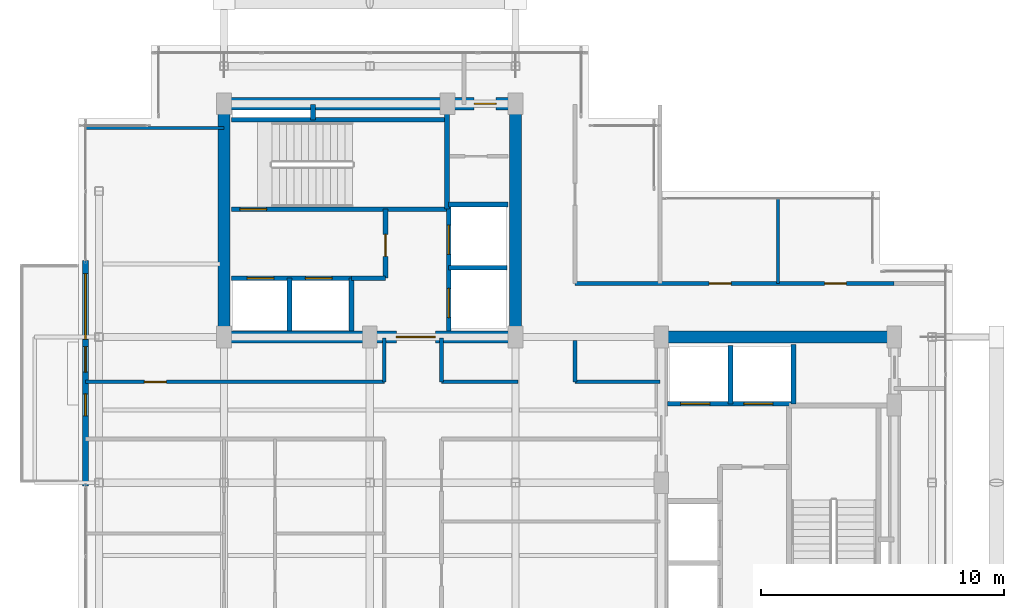
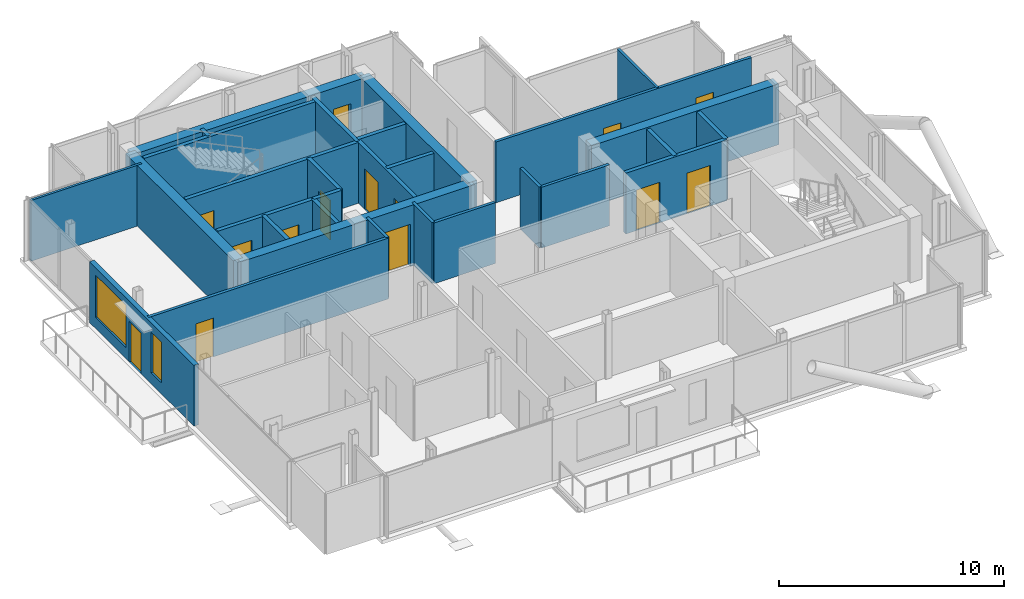
# One storey, part 15 of 18: 30 walls, 14 doors, 2 windows, 16 openings.
"""IFC4 building model written with IfcOpenShell, lengths in metres."""

import ifcopenshell
import ifcopenshell.guid

model = None  # the IFC model being written
_history = None  # IfcOwnerHistory: only IFC2X3 demands one
_inside = {}  # id of a spatial element -> (the spatial element, [elements in it])
_under = {}  # id of a project, library or spatial element -> (it, [spatial elements below it])
_declared = {}  # id of a project -> (the project, [libraries it declares])
_typed = {}  # id of a type object -> (the type object, [elements of that type])
_made_of = {}  # id of a material, layer set ... -> (it, [elements and type objects made of it])


def new_model(schema):
    """Start an empty IFC model of exactly this schema.

    Asked for "IFC4X3", IfcOpenShell would pick the latest addendum, in which some entities
    have other attributes; the version numbers below select the first issue.
    IFC2X3 requires an IfcOwnerHistory on every rooted entity: one is made here for all.
    """
    global model, _history
    if schema == "IFC4X3":
        model = ifcopenshell.file(schema_version=(4, 3, 0, 0))
    else:
        model = ifcopenshell.file(schema=schema)
    _inside.clear()
    _under.clear()
    _declared.clear()
    _typed.clear()
    _made_of.clear()
    _history = None
    if model.schema == "IFC2X3":
        org = make("IfcOrganization", Name="unknown")
        user = make(
            "IfcPersonAndOrganization",
            ThePerson=make("IfcPerson", FamilyName="unknown"),
            TheOrganization=org,
        )
        app = make(
            "IfcApplication",
            ApplicationDeveloper=org,
            Version="unknown",
            ApplicationFullName="unknown",
            ApplicationIdentifier="unknown",
        )
        _history = make(
            "IfcOwnerHistory",
            OwningUser=user,
            OwningApplication=app,
            ChangeAction="ADDED",
            CreationDate=0,
        )
    return model


def make(cls, **values):
    """One entity of the class cls with the attributes given. An attribute that is None is left unset."""
    return model.create_entity(
        cls, **{name: value for name, value in values.items() if value is not None}
    )


def rooted(cls, **values):
    """An entity with a GlobalId (a new one), such as an element, a storey or a relation."""
    return make(cls, GlobalId=ifcopenshell.guid.new(), OwnerHistory=_history, **values)


def si_unit(unit_type, name, prefix=None):
    """IfcSIUnit, for example si_unit("LENGTHUNIT", "METRE", prefix="MILLI")."""
    return make("IfcSIUnit", UnitType=unit_type, Prefix=prefix, Name=name)


def assignment(units):
    """IfcUnitAssignment: the units of a project."""
    return None if units is None else make("IfcUnitAssignment", Units=units)


def point(xyz):
    """IfcCartesianPoint."""
    return None if xyz is None else make("IfcCartesianPoint", Coordinates=xyz)


def direction(xyz):
    """IfcDirection."""
    return None if xyz is None else make("IfcDirection", DirectionRatios=xyz)


def frame(location, z_axis=None, x_axis=None):
    """IfcAxis2Placement3D, a coordinate frame: its origin and axes. An axis left out is left unset."""
    return make(
        "IfcAxis2Placement3D",
        Location=point(location),
        Axis=direction(z_axis),
        RefDirection=direction(x_axis),
    )


def frame_2d(location, x_axis=None):
    """IfcAxis2Placement2D, a coordinate frame in the plane: its origin and x axis."""
    return make(
        "IfcAxis2Placement2D", Location=point(location), RefDirection=direction(x_axis)
    )


def origin():
    """The frame at (0, 0, 0) with its axes left unset."""
    return frame((0.0, 0.0, 0.0))


def place(relative_to, where):
    """IfcLocalPlacement: puts the frame where relative to a parent placement (None: the world)."""
    return make(
        "IfcLocalPlacement", PlacementRelTo=relative_to, RelativePlacement=where
    )


def context(
    kind, dimensions, precision=None, world=None, true_north=None, identifier=None
):
    """IfcGeometricRepresentationContext, for example the 3D "Model" context."""
    return make(
        "IfcGeometricRepresentationContext",
        ContextIdentifier=identifier,
        ContextType=kind,
        CoordinateSpaceDimension=dimensions,
        Precision=precision,
        WorldCoordinateSystem=world,
        TrueNorth=true_north,
    )


def subcontext(parent, identifier, kind, view, scale=None):
    """IfcGeometricRepresentationSubContext, for example "Body" below "Model"."""
    return make(
        "IfcGeometricRepresentationSubContext",
        ContextIdentifier=identifier,
        ContextType=kind,
        ParentContext=parent,
        TargetScale=scale,
        TargetView=view,
    )


def project(units=None, contexts=None):
    """IfcProject with its units and contexts."""
    return rooted(
        "IfcProject",
        Name="project",
        RepresentationContexts=contexts,
        UnitsInContext=assignment(units),
    )


def spatial(cls, under=None, at=None, **own):
    """A site, building, storey or space (cls), placed at a placement, below another one or the project."""
    s = rooted(cls, ObjectPlacement=at, **own)
    if under is not None:
        _under.setdefault(under.id(), (under, []))[1].append(s)
    return s


def profile(cls, at=None, kind="AREA", **sizes):
    """A parametric profile (cls). Its sizes go by their IFC names, for example OverallWidth=200.0."""
    return make(cls, ProfileType=kind, Position=at, **sizes)


def rectangle(**sizes):
    """IfcRectangleProfileDef."""
    return profile("IfcRectangleProfileDef", **sizes)


def extrude(swept, where, along, depth):
    """IfcExtrudedAreaSolid: the profile swept, set in the frame where, extruded along a direction by depth."""
    return make(
        "IfcExtrudedAreaSolid",
        SweptArea=swept,
        Position=where,
        ExtrudedDirection=direction(along),
        Depth=depth,
    )


def shape(context_of_items, identifier, shape_type, items):
    """IfcShapeRepresentation: the items that make up one representation, for example the "Body"."""
    return make(
        "IfcShapeRepresentation",
        ContextOfItems=context_of_items,
        RepresentationIdentifier=identifier,
        RepresentationType=shape_type,
        Items=items,
    )


def material(Name=None, Category=None):
    """IfcMaterial."""
    return make("IfcMaterial", Name=Name, Category=Category)


def layer(
    of_material, thickness, ventilated=None, Name=None, Category=None, Priority=None
):
    """IfcMaterialLayer: one layer of a wall or slab, of a material (None: an air gap)."""
    return make(
        "IfcMaterialLayer",
        Material=of_material,
        LayerThickness=thickness,
        IsVentilated=ventilated,
        Name=Name,
        Category=Category,
        Priority=Priority,
    )


def layer_set(layers, Name=None):
    """IfcMaterialLayerSet."""
    return make("IfcMaterialLayerSet", MaterialLayers=layers, LayerSetName=Name)


def made_of(thing, what):
    """Note that an element or type object is made of a material, layer set ...; save() writes the relation."""
    if what is not None:
        _made_of.setdefault(what.id(), (what, []))[1].append(thing)
    return thing


def type_object(cls, material=None, **own):
    """A type object (cls), such as IfcWallType, which elements share."""
    return made_of(rooted(cls, **own), material)


def element(
    cls,
    number,
    at=None,
    inside=None,
    cuts=None,
    type_object=None,
    material=None,
    context=None,
    identifier="Body",
    shape_type=None,
    held_by="IfcProductDefinitionShape",
    body=None,
    shapes=None,
    **own,
):
    """One element of the class cls, such as IfcWall. Its Tag is "e" and its number.

    at: its placement. inside: the storey or other place that contains it. cuts: it is an
    opening in that element (IfcRelVoidsElement). A single representation is given by context,
    identifier, shape_type and body (its items); several are given by shapes. held_by: the class
    of the entity that holds the representations. save() writes the other relations.
    """
    e = rooted(cls, Tag="e%d" % number, ObjectPlacement=at, **own)
    if body is not None:
        shapes = [shape(context, identifier, shape_type, body)]
    if shapes is not None:
        e.Representation = make(held_by, Representations=shapes)
    if inside is not None:
        _inside.setdefault(inside.id(), (inside, []))[1].append(e)
    if cuts is not None:
        rooted(
            "IfcRelVoidsElement", RelatingBuildingElement=cuts, RelatedOpeningElement=e
        )
    if type_object is not None:
        _typed.setdefault(type_object.id(), (type_object, []))[1].append(e)
    return made_of(e, material)


def fill(opening, filler):
    """IfcRelFillsElement: the door or window that sits in an opening."""
    return rooted(
        "IfcRelFillsElement",
        RelatingOpeningElement=opening,
        RelatedBuildingElement=filler,
    )


def aggregate(whole, parts):
    """IfcRelAggregates: a whole, such as a stair, and the parts it consists of."""
    return rooted("IfcRelAggregates", RelatingObject=whole, RelatedObjects=parts)


def save(model, path):
    """Write the relations noted so far, then the file.

    IfcRelAggregates (storeys below a building ...), IfcRelContainedInSpatialStructure (elements
    in a storey), IfcRelDefinesByType, IfcRelAssociatesMaterial and IfcRelDeclares: one each for
    every whole, place, type object, material and project.
    """
    for whole, parts in _under.values():
        aggregate(whole, parts)
    for where, things in _inside.values():
        rooted(
            "IfcRelContainedInSpatialStructure",
            RelatedElements=things,
            RelatingStructure=where,
        )
    for kind, things in _typed.values():
        rooted("IfcRelDefinesByType", RelatedObjects=things, RelatingType=kind)
    for what, things in _made_of.values():
        rooted("IfcRelAssociatesMaterial", RelatedObjects=things, RelatingMaterial=what)
    for by, libraries in _declared.values():
        rooted("IfcRelDeclares", RelatingContext=by, RelatedDefinitions=libraries)
    model.write(path)


model = new_model("IFC4")

# Units and contexts
model_context = context("Model", 3, precision=1e-05, world=origin(), true_north=direction((0.0, 1.0)))
body_context = subcontext(model_context, "Body", "Model", "MODEL_VIEW")
ifc_project = project(units=[si_unit("LENGTHUNIT", "METRE"), si_unit("AREAUNIT", "SQUARE_METRE"), si_unit("VOLUMEUNIT", "CUBIC_METRE"), si_unit("PLANEANGLEUNIT", "RADIAN"), si_unit("MASSUNIT", "GRAM", prefix="KILO"), si_unit("THERMODYNAMICTEMPERATUREUNIT", "KELVIN"), si_unit("POWERUNIT", "WATT")], contexts=[model_context])

# Site, building, storey
site_placement = place(None, origin())
site = spatial("IfcSite", under=ifc_project, at=site_placement, CompositionType="ELEMENT")
building_placement = place(site_placement, origin())
building = spatial("IfcBuilding", under=site, at=building_placement, Name="Svarakhadi Broadcast Tower", CompositionType="ELEMENT")
storey_placement = place(building_placement, frame((0.0, 0.0, 264.199951171875)))
storey = spatial("IfcBuildingStorey", under=building, at=storey_placement, Name="L66", CompositionType="ELEMENT", Elevation=264.199951171875)

# Wall, openings, door, windows
ifc_material_1 = material(Name="Concrete C40/50 (IS 456 M50)", Category="concrete")
ifc_layer_1 = layer(ifc_material_1, 0.239990234375)
ifc_layer_set_1 = layer_set([ifc_layer_1], Name="Concrete C40/50 (IS 456 M50)")
wall_type_1 = type_object("IfcWallType", Name="Wall_Ext_240", PredefinedType="SOLIDWALL", material=ifc_layer_set_1)
wall_1_placement = place(storey_placement, frame((0.300048828125, 11.85498046875, 0.0), z_axis=(0.0, 0.0, 1.0), x_axis=(0.0, 1.0, 0.0)))
wall_1 = element("IfcWall", 1, at=wall_1_placement, inside=storey, type_object=wall_type_1, Name="L66 West Tree Balcony Spandrel Wall", PredefinedType="SOLIDWALL", context=body_context, shape_type="SweptSolid", body=[
    extrude(rectangle(XDim=9.2900390625, YDim=0.239990234375, at=frame_2d((4.64501953125, 0.0))), origin(), (0.0, 0.0, 1.0), 3.300048828125),
])
opening_1_placement = place(wall_1_placement, frame((4.699951171875, 0.0, 0.0)))
opening_1 = element("IfcOpeningElement", 2, at=opening_1_placement, cuts=wall_1, Name="Opening ED-05", PredefinedType="OPENING", context=body_context, shape_type="SweptSolid", body=[
    extrude(rectangle(XDim=1.050048828125, YDim=2.199951171875, at=frame_2d((0.52490234375, 1.10009765625))), frame((0.0, 0.1298828125, 0.0), z_axis=(0.0, -1.0, 0.0), x_axis=(1.0, 0.0, 0.0)), (0.0, 0.0, 1.0), 0.260009765625),
])
opening_2_placement = place(wall_1_placement, frame((6.050048828125, 0.0, 0.60009765625)))
opening_2 = element("IfcOpeningElement", 3, at=opening_2_placement, cuts=wall_1, Name="Opening WN-07", PredefinedType="OPENING", context=body_context, shape_type="SweptSolid", body=[
    extrude(rectangle(XDim=2.699951171875, YDim=2.300048828125, at=frame_2d((1.35009765625, 1.14990234375))), frame((0.0, 0.1298828125, 0.0), z_axis=(0.0, -1.0, 0.0), x_axis=(1.0, 0.0, 0.0)), (0.0, 0.0, 1.0), 0.260009765625),
])
opening_3_placement = place(wall_1_placement, frame((2.89990234375, 0.0, 0.60009765625)))
opening_3 = element("IfcOpeningElement", 4, at=opening_3_placement, cuts=wall_1, Name="Opening WN-04", PredefinedType="OPENING", context=body_context, shape_type="SweptSolid", body=[
    extrude(rectangle(XDim=0.89990234375, YDim=2.199951171875, at=frame_2d((0.449951171875, 1.10009765625))), frame((0.0, 0.1298828125, 0.0), z_axis=(0.0, -1.0, 0.0), x_axis=(1.0, 0.0, 0.0)), (0.0, 0.0, 1.0), 0.260009765625),
])
ifc_material_2 = material(Name="Anodised Bronze Aluminium AA 6063-T6", Category="aluminium")
door_type_1 = type_object("IfcDoorType", Name="Door_Ext_ED05", OperationType="SINGLE_SWING_LEFT", PredefinedType="DOOR", material=ifc_material_2)
door_1_placement = place(opening_1_placement, origin())
door_1 = element("IfcDoor", 5, at=door_1_placement, inside=storey, type_object=door_type_1, Name="L66 West Tree Balcony Door", OperationType="SINGLE_SWING_LEFT", OverallHeight=2.199951171875, OverallWidth=1.050048828125, PredefinedType="DOOR", context=body_context, shape_type="SweptSolid", body=[
    extrude(rectangle(XDim=1.050048828125, YDim=2.199951171875, at=frame_2d((0.52490234375, 1.10009765625))), frame((0.0, 0.02490234375, 0.0), z_axis=(0.0, -1.0, 0.0), x_axis=(1.0, 0.0, 0.0)), (0.0, 0.0, 1.0), 0.050048828125),
])
fill(opening_1, door_1)
ifc_material_3 = material(Name="Double Low-E Laminated Acoustic Glass IGU 36 mm", Category="glass")
window_type_1 = type_object("IfcWindowType", Name="Win_Resi_WN07", PartitioningType="SINGLE_PANEL", PredefinedType="WINDOW", material=ifc_material_3)
window_1_placement = place(opening_2_placement, origin())
window_1 = element("IfcWindow", 6, at=window_1_placement, inside=storey, type_object=window_type_1, Name="L66 West Tree Balcony Window", OverallHeight=2.300048828125, OverallWidth=2.699951171875, PartitioningType="SINGLE_PANEL", PredefinedType="WINDOW", context=body_context, shape_type="SweptSolid", body=[
    extrude(rectangle(XDim=2.699951171875, YDim=2.300048828125, at=frame_2d((1.35009765625, 1.14990234375))), frame((0.0, 0.030029296875, 0.0), z_axis=(0.0, -1.0, 0.0), x_axis=(1.0, 0.0, 0.0)), (0.0, 0.0, 1.0), 0.06005859375),
])
fill(opening_2, window_1)
window_type_2 = type_object("IfcWindowType", Name="Win_Slot_WN04", PartitioningType="SINGLE_PANEL", PredefinedType="WINDOW", material=ifc_material_3)
window_2_placement = place(opening_3_placement, origin())
window_2 = element("IfcWindow", 7, at=window_2_placement, inside=storey, type_object=window_type_2, Name="L66 West Secondary Bedroom Slot Window", OverallHeight=2.199951171875, OverallWidth=0.89990234375, PartitioningType="SINGLE_PANEL", PredefinedType="WINDOW", context=body_context, shape_type="SweptSolid", body=[
    extrude(rectangle(XDim=0.89990234375, YDim=2.199951171875, at=frame_2d((0.449951171875, 1.10009765625))), frame((0.0, 0.030029296875, 0.0), z_axis=(0.0, -1.0, 0.0), x_axis=(1.0, 0.0, 0.0)), (0.0, 0.0, 1.0), 0.06005859375),
])
fill(opening_3, window_2)

# Walls
ifc_layer_2 = layer(ifc_material_1, 0.199951171875)
ifc_layer_set_2 = layer_set([ifc_layer_2], Name="Concrete C40/50 (IS 456 M50)")
wall_type_2 = type_object("IfcWallType", Name="Wall_Fire_200", PredefinedType="SOLIDWALL", material=ifc_layer_set_2)
wall_2_placement = place(storey_placement, frame((9.659912109375, 26.93994140625, 0.0), z_axis=(0.0, 0.0, 1.0), x_axis=(0.0, 1.0, 0.0)))
element("IfcWall", 8, at=wall_2_placement, inside=storey, type_object=wall_type_2, Name="L66 Wet Riser Shaft East Wall", PredefinedType="SOLIDWALL", context=body_context, shape_type="SweptSolid", body=[
    extrude(rectangle(XDim=0.64013671875, YDim=0.199951171875, at=frame_2d((0.320068359375, 0.0))), origin(), (0.0, 0.0, 1.0), 3.300048828125),
])
ifc_material_4 = material(Name="Fire-Rated Moisture-Resistant Gypsum Board Partition", Category="gypsum")
ifc_layer_3 = layer(ifc_material_4, 0.125)
ifc_layer_set_3 = layer_set([ifc_layer_3], Name="Fire-Rated Moisture-Resistant Gypsum Board Partition")
wall_type_3 = type_object("IfcWallType", Name="Wall_Part_125", PredefinedType="PARTITIONING", material=ifc_layer_set_3)
wall_3_placement = place(storey_placement, frame((28.800048828125, 20.199951171875, 0.0), z_axis=(0.0, 0.0, 1.0), x_axis=(0.0, 1.0, 0.0)))
element("IfcWall", 9, at=wall_3_placement, inside=storey, type_object=wall_type_3, Name="L66 Harbour Sky Club Reading Room Wall", PredefinedType="PARTITIONING", context=body_context, shape_type="SweptSolid", body=[
    extrude(rectangle(XDim=3.5, YDim=0.125, at=frame_2d((1.75, 0.0))), origin(), (0.0, 0.0, 1.0), 3.300048828125),
])
wall_4_placement = place(storey_placement, frame((0.300048828125, 26.60009765625, 0.0), z_axis=(0.0, 0.0, 1.0), x_axis=(1.0, 0.0, 0.0)))
element("IfcWall", 10, at=wall_4_placement, inside=storey, type_object=wall_type_3, Name="L66 Harbour Yoga and Meditation Salon Wall", PredefinedType="PARTITIONING", context=body_context, shape_type="SweptSolid", body=[
    extrude(rectangle(XDim=5.699951171875, YDim=0.125, at=frame_2d((2.85009765625, 0.0))), origin(), (0.0, 0.0, 1.0), 3.300048828125),
])

# Wall, opening, door
ifc_material_5 = material(Name="Autoclaved Aerated Concrete Blockwork 150 mm", Category="masonry")
ifc_layer_4 = layer(ifc_material_5, 0.14990234375)
ifc_layer_set_4 = layer_set([ifc_layer_4], Name="Autoclaved Aerated Concrete Blockwork 150 mm")
wall_type_4 = type_object("IfcWallType", Name="Wall_Part_150", PredefinedType="PARTITIONING", material=ifc_layer_set_4)
wall_5_placement = place(storey_placement, frame((0.300048828125, 16.14990234375, 0.0), z_axis=(0.0, 0.0, 1.0), x_axis=(1.0, 0.0, 0.0)))
wall_5 = element("IfcWall", 11, at=wall_5_placement, inside=storey, type_object=wall_type_4, Name="L66 Upper Tower Concourse Wall", PredefinedType="PARTITIONING", context=body_context, shape_type="SweptSolid", body=[
    extrude(rectangle(XDim=12.300048828125, YDim=0.14990234375, at=frame_2d((6.14990234375, 0.0))), origin(), (0.0, 0.0, 1.0), 3.300048828125),
])
opening_4_placement = place(wall_5_placement, frame((2.425048828125, 0.0, 0.0)))
opening_4 = element("IfcOpeningElement", 12, at=opening_4_placement, cuts=wall_5, Name="Opening D-14", PredefinedType="OPENING", context=body_context, shape_type="SweptSolid", body=[
    extrude(rectangle(XDim=0.89990234375, YDim=2.10009765625, at=frame_2d((0.449951171875, 1.050048828125))), frame((0.0, 0.0849609375, 0.0), z_axis=(0.0, -1.0, 0.0), x_axis=(1.0, 0.0, 0.0)), (0.0, 0.0, 1.0), 0.169921875),
])
ifc_material_6 = material(Name="Solid-Core Teak Veneer Acoustic Timber Leaf", Category="wood")
door_type_2 = type_object("IfcDoorType", Name="Door_Int_D14", OperationType="SINGLE_SWING_LEFT", PredefinedType="DOOR", material=ifc_material_6)
door_2_placement = place(opening_4_placement, origin())
door_2 = element("IfcDoor", 13, at=door_2_placement, inside=storey, type_object=door_type_2, Name="L66 Harbour Yoga and Meditation Salon Door", OperationType="SINGLE_SWING_LEFT", OverallHeight=2.10009765625, OverallWidth=0.89990234375, PredefinedType="DOOR", context=body_context, shape_type="SweptSolid", body=[
    extrude(rectangle(XDim=0.89990234375, YDim=2.10009765625, at=frame_2d((0.449951171875, 1.050048828125))), frame((0.0, 0.02490234375, 0.0), z_axis=(0.0, -1.0, 0.0), x_axis=(1.0, 0.0, 0.0)), (0.0, 0.0, 1.0), 0.050048828125),
])
fill(opening_4, door_2)

# Walls
for number, where, z_axis, x_axis, name in (
    (14, (12.60009765625, 16.14990234375, 0.0), (0.0, 0.0, 1.0), (0.0, 1.0, 0.0), "L66 Upper Tower Concourse Wall"),
    (15, (14.949951171875, 17.949951171875, 0.0), (0.0, 0.0, 1.0), (0.0, -1.0, 0.0), "L66 Upper Tower Concourse Wall"),
):
    element("IfcWall", number, at=place(storey_placement, frame(where, z_axis=z_axis, x_axis=x_axis)), inside=storey, type_object=wall_type_4, Name=name, PredefinedType="PARTITIONING", context=body_context, shape_type="SweptSolid", body=[
        extrude(rectangle(XDim=1.800048828125, YDim=0.14990234375, at=frame_2d((0.89990234375, 0.0))), origin(), (0.0, 0.0, 1.0), 3.300048828125),
    ])
wall_6_placement = place(storey_placement, frame((14.949951171875, 16.14990234375, 0.0), z_axis=(0.0, 0.0, 1.0), x_axis=(1.0, 0.0, 0.0)))
element("IfcWall", 16, at=wall_6_placement, inside=storey, type_object=wall_type_4, Name="L66 Upper Tower Concourse Wall", PredefinedType="PARTITIONING", context=body_context, shape_type="SweptSolid", body=[
    extrude(rectangle(XDim=3.150146484375, YDim=0.14990234375, at=frame_2d((1.5751953125, 0.0))), origin(), (0.0, 0.0, 1.0), 3.300048828125),
])

# Wall, openings, doors
wall_7_placement = place(storey_placement, frame((20.449951171875, 20.199951171875, 0.0), z_axis=(0.0, 0.0, 1.0), x_axis=(1.0, 0.0, 0.0)))
wall_7 = element("IfcWall", 17, at=wall_7_placement, inside=storey, type_object=wall_type_4, Name="L66 Upper Tower Concourse Wall", PredefinedType="PARTITIONING", context=body_context, shape_type="SweptSolid", body=[
    extrude(rectangle(XDim=13.130126953125, YDim=0.14990234375, at=frame_2d((6.56494140625, 0.0))), origin(), (0.0, 0.0, 1.0), 3.300048828125),
])
opening_5_placement = place(wall_7_placement, frame((5.52490234375, 0.0, 0.0)))
opening_5 = element("IfcOpeningElement", 18, at=opening_5_placement, cuts=wall_7, Name="Opening D-14", PredefinedType="OPENING", context=body_context, shape_type="SweptSolid", body=[
    extrude(rectangle(XDim=0.89990234375, YDim=2.10009765625, at=frame_2d((0.449951171875, 1.050048828125))), frame((0.0, 0.0849609375, 0.0), z_axis=(0.0, -1.0, 0.0), x_axis=(1.0, 0.0, 0.0)), (0.0, 0.0, 1.0), 0.169921875),
])
opening_6_placement = place(wall_7_placement, frame((10.27490234375, 0.0, 0.0)))
opening_6 = element("IfcOpeningElement", 19, at=opening_6_placement, cuts=wall_7, Name="Opening D-15", PredefinedType="OPENING", context=body_context, shape_type="SweptSolid", body=[
    extrude(rectangle(XDim=0.89990234375, YDim=2.10009765625, at=frame_2d((0.449951171875, 1.050048828125))), frame((0.0, 0.0849609375, 0.0), z_axis=(0.0, -1.0, 0.0), x_axis=(1.0, 0.0, 0.0)), (0.0, 0.0, 1.0), 0.169921875),
])
door_3_placement = place(opening_5_placement, origin())
door_3 = element("IfcDoor", 20, at=door_3_placement, inside=storey, type_object=door_type_2, Name="L66 Harbour Sky Club Reading Room Door", OperationType="SINGLE_SWING_LEFT", OverallHeight=2.10009765625, OverallWidth=0.89990234375, PredefinedType="DOOR", context=body_context, shape_type="SweptSolid", body=[
    extrude(rectangle(XDim=0.89990234375, YDim=2.10009765625, at=frame_2d((0.449951171875, 1.050048828125))), frame((0.0, 0.02490234375, 0.0), z_axis=(0.0, -1.0, 0.0), x_axis=(1.0, 0.0, 0.0)), (0.0, 0.0, 1.0), 0.050048828125),
])
fill(opening_5, door_3)
door_type_3 = type_object("IfcDoorType", Name="Door_Int_D15", OperationType="SINGLE_SWING_RIGHT", PredefinedType="DOOR", material=ifc_material_6)
door_4_placement = place(opening_6_placement, origin())
door_4 = element("IfcDoor", 21, at=door_4_placement, inside=storey, type_object=door_type_3, Name="L66 Private Sommelier Tasting Pantry Door", OperationType="SINGLE_SWING_RIGHT", OverallHeight=2.10009765625, OverallWidth=0.89990234375, PredefinedType="DOOR", context=body_context, shape_type="SweptSolid", body=[
    extrude(rectangle(XDim=0.89990234375, YDim=2.10009765625, at=frame_2d((0.449951171875, 1.050048828125))), frame((0.0, 0.02490234375, 0.0), z_axis=(0.0, -1.0, 0.0), x_axis=(1.0, 0.0, 0.0)), (0.0, 0.0, 1.0), 0.050048828125),
])
fill(opening_6, door_4)

# Walls
wall_8_placement = place(storey_placement, frame((20.449951171875, 17.85009765625, 0.0), z_axis=(0.0, 0.0, 1.0), x_axis=(0.0, -1.0, 0.0)))
element("IfcWall", 22, at=wall_8_placement, inside=storey, type_object=wall_type_4, Name="L66 Upper Tower Concourse Wall", PredefinedType="PARTITIONING", context=body_context, shape_type="SweptSolid", body=[
    extrude(rectangle(XDim=1.7001953125, YDim=0.14990234375, at=frame_2d((0.85009765625, 0.0))), origin(), (0.0, 0.0, 1.0), 3.300048828125),
])
wall_9_placement = place(storey_placement, frame((20.449951171875, 16.14990234375, 0.0), z_axis=(0.0, 0.0, 1.0), x_axis=(1.0, 0.0, 0.0)))
element("IfcWall", 23, at=wall_9_placement, inside=storey, type_object=wall_type_4, Name="L66 Upper Tower Concourse Wall", PredefinedType="PARTITIONING", context=body_context, shape_type="SweptSolid", body=[
    extrude(rectangle(XDim=3.5, YDim=0.14990234375, at=frame_2d((1.75, 0.0))), origin(), (0.0, 0.0, 1.0), 3.300048828125),
])

# Wall, opening, door
ifc_material_7 = material(Name="Concrete C50/60 (IS 456 M60)", Category="concrete")
ifc_layer_5 = layer(ifc_material_7, 0.199951171875)
ifc_layer_set_5 = layer_set([ifc_layer_5], Name="Concrete C50/60 (IS 456 M60)")
wall_type_5 = type_object("IfcWallType", Name="Wall_Shear_200", PredefinedType="SHEAR", material=ifc_layer_set_5)
wall_10_placement = place(storey_placement, frame((6.300048828125, 23.260009765625, 0.0), z_axis=(0.0, 0.0, 1.0), x_axis=(1.0, 0.0, 0.0)))
wall_10 = element("IfcWall", 24, at=wall_10_placement, inside=storey, type_object=wall_type_5, Name="L66 Stair ST-01 South RC Shaft Wall", PredefinedType="SHEAR", context=body_context, shape_type="SweptSolid", body=[
    extrude(rectangle(XDim=8.8798828125, YDim=0.199951171875, at=frame_2d((4.43994140625, 0.0))), origin(), (0.0, 0.0, 1.0), 3.300048828125),
])
opening_7_placement = place(wall_10_placement, frame((0.35009765625, 0.0, 0.0)))
opening_7 = element("IfcOpeningElement", 25, at=opening_7_placement, cuts=wall_10, Name="Opening D-01", PredefinedType="OPENING", context=body_context, shape_type="SweptSolid", body=[
    extrude(rectangle(XDim=1.10009765625, YDim=2.199951171875, at=frame_2d((0.550048828125, 1.10009765625))), frame((0.0, 0.10986328125, 0.0), z_axis=(0.0, -1.0, 0.0), x_axis=(1.0, 0.0, 0.0)), (0.0, 0.0, 1.0), 0.219970703125),
])
ifc_material_8 = material(Name="Galvanised Powder-Coated Fire-Rated Steel Leaf", Category="steel")
door_type_4 = type_object("IfcDoorType", Name="Door_Stair_D01", OperationType="SINGLE_SWING_LEFT", PredefinedType="DOOR", material=ifc_material_8)
door_5_placement = place(opening_7_placement, origin())
door_5 = element("IfcDoor", 26, at=door_5_placement, inside=storey, type_object=door_type_4, Name="L66 Protected Exit Stair ST-01 Fire Door", OperationType="SINGLE_SWING_LEFT", OverallHeight=2.199951171875, OverallWidth=1.10009765625, PredefinedType="DOOR", context=body_context, shape_type="SweptSolid", body=[
    extrude(rectangle(XDim=1.10009765625, YDim=2.199951171875, at=frame_2d((0.550048828125, 1.10009765625))), frame((0.0, 0.02490234375, 0.0), z_axis=(0.0, -1.0, 0.0), x_axis=(1.0, 0.0, 0.0)), (0.0, 0.0, 1.0), 0.050048828125),
])
fill(opening_7, door_5)

# Walls
wall_11_placement = place(storey_placement, frame((6.300048828125, 26.93994140625, 0.0), z_axis=(0.0, 0.0, 1.0), x_axis=(1.0, 0.0, 0.0)))
element("IfcWall", 27, at=wall_11_placement, inside=storey, type_object=wall_type_5, Name="L66 Stair ST-01 North RC Shaft Wall", PredefinedType="SHEAR", context=body_context, shape_type="SweptSolid", body=[
    extrude(rectangle(XDim=8.8798828125, YDim=0.199951171875, at=frame_2d((4.43994140625, 0.0))), origin(), (0.0, 0.0, 1.0), 3.300048828125),
])
wall_12_placement = place(storey_placement, frame((15.179931640625, 23.260009765625, 0.0), z_axis=(0.0, 0.0, 1.0), x_axis=(0.0, 1.0, 0.0)))
element("IfcWall", 28, at=wall_12_placement, inside=storey, type_object=wall_type_5, Name="L66 Stair ST-01 East RC Shaft Wall", PredefinedType="SHEAR", context=body_context, shape_type="SweptSolid", body=[
    extrude(rectangle(XDim=4.0400390625, YDim=0.199951171875, at=frame_2d((2.02001953125, 0.0))), origin(), (0.0, 0.0, 1.0), 3.300048828125),
])

# Wall, openings, doors
wall_13_placement = place(storey_placement, frame((6.300048828125, 20.419921875, 0.0), z_axis=(0.0, 0.0, 1.0), x_axis=(1.0, 0.0, 0.0)))
wall_13 = element("IfcWall", 29, at=wall_13_placement, inside=storey, type_object=wall_type_5, Name="L66 Firefighting Lift LF-01/02 Shaft Wall", PredefinedType="SHEAR", context=body_context, shape_type="SweptSolid", body=[
    extrude(rectangle(XDim=4.949951171875, YDim=0.199951171875, at=frame_2d((2.47509765625, 0.0))), origin(), (0.0, 0.0, 1.0), 3.300048828125),
])
opening_8_placement = place(wall_13_placement, frame((0.64990234375, 0.0, 0.0)))
opening_8 = element("IfcOpeningElement", 30, at=opening_8_placement, cuts=wall_13, Name="Opening LD-01", PredefinedType="OPENING", context=body_context, shape_type="SweptSolid", body=[
    extrude(rectangle(XDim=1.10009765625, YDim=2.199951171875, at=frame_2d((0.550048828125, 1.10009765625))), frame((0.0, 0.10986328125, 0.0), z_axis=(0.0, -1.0, 0.0), x_axis=(1.0, 0.0, 0.0)), (0.0, 0.0, 1.0), 0.219970703125),
])
opening_9_placement = place(wall_13_placement, frame((3.050048828125, 0.0, 0.0)))
opening_9 = element("IfcOpeningElement", 31, at=opening_9_placement, cuts=wall_13, Name="Opening LD-01", PredefinedType="OPENING", context=body_context, shape_type="SweptSolid", body=[
    extrude(rectangle(XDim=1.10009765625, YDim=2.199951171875, at=frame_2d((0.550048828125, 1.10009765625))), frame((0.0, 0.10986328125, 0.0), z_axis=(0.0, -1.0, 0.0), x_axis=(1.0, 0.0, 0.0)), (0.0, 0.0, 1.0), 0.219970703125),
])
door_type_5 = type_object("IfcDoorType", Name="Door_Lift_LD01", OperationType="SLIDING_TO_LEFT", PredefinedType="DOOR", material=ifc_material_8)
door_6_placement = place(opening_8_placement, origin())
door_6 = element("IfcDoor", 32, at=door_6_placement, inside=storey, type_object=door_type_5, Name="L66 Firefighting Lift LF-01 Landing Door", OperationType="SLIDING_TO_LEFT", OverallHeight=2.199951171875, OverallWidth=1.10009765625, PredefinedType="DOOR", context=body_context, shape_type="SweptSolid", body=[
    extrude(rectangle(XDim=1.10009765625, YDim=2.199951171875, at=frame_2d((0.550048828125, 1.10009765625))), frame((0.0, 0.02490234375, 0.0), z_axis=(0.0, -1.0, 0.0), x_axis=(1.0, 0.0, 0.0)), (0.0, 0.0, 1.0), 0.050048828125),
])
fill(opening_8, door_6)
door_7_placement = place(opening_9_placement, origin())
door_7 = element("IfcDoor", 33, at=door_7_placement, inside=storey, type_object=door_type_5, Name="L66 Firefighting Lift LF-02 Landing Door", OperationType="SLIDING_TO_LEFT", OverallHeight=2.199951171875, OverallWidth=1.10009765625, PredefinedType="DOOR", context=body_context, shape_type="SweptSolid", body=[
    extrude(rectangle(XDim=1.10009765625, YDim=2.199951171875, at=frame_2d((0.550048828125, 1.10009765625))), frame((0.0, 0.02490234375, 0.0), z_axis=(0.0, -1.0, 0.0), x_axis=(1.0, 0.0, 0.0)), (0.0, 0.0, 1.0), 0.050048828125),
])
fill(opening_9, door_7)

# Walls
for number, where, z_axis, x_axis, name in (
    (34, (8.699951171875, 18.25, 0.0), (0.0, 0.0, 1.0), (0.0, 1.0, 0.0), "L66 Firefighting Lift LF-01/02 Divider Wall"),
    (35, (11.25, 18.25, 0.0), (0.0, 0.0, 1.0), (0.0, 1.0, 0.0), "L66 Firefighting Lift LF-02 East Wall"),
):
    element("IfcWall", number, at=place(storey_placement, frame(where, z_axis=z_axis, x_axis=x_axis)), inside=storey, type_object=wall_type_5, Name=name, PredefinedType="SHEAR", context=body_context, shape_type="SweptSolid", body=[
        extrude(rectangle(XDim=2.169921875, YDim=0.199951171875, at=frame_2d((1.0849609375, 0.0))), origin(), (0.0, 0.0, 1.0), 3.300048828125),
    ])
wall_14_placement = place(storey_placement, frame((11.25, 20.419921875, 0.0), z_axis=(0.0, 0.0, 1.0), x_axis=(1.0, 0.0, 0.0)))
element("IfcWall", 36, at=wall_14_placement, inside=storey, type_object=wall_type_5, Name="L66 West Firefighting Lobby South Wall", PredefinedType="SHEAR", context=body_context, shape_type="SweptSolid", body=[
    extrude(rectangle(XDim=1.39990234375, YDim=0.199951171875, at=frame_2d((0.699951171875, 0.0))), origin(), (0.0, 0.0, 1.0), 3.300048828125),
])

# Wall, opening, door
wall_15_placement = place(storey_placement, frame((12.64990234375, 20.419921875, 0.0), z_axis=(0.0, 0.0, 1.0), x_axis=(0.0, 1.0, 0.0)))
wall_15 = element("IfcWall", 37, at=wall_15_placement, inside=storey, type_object=wall_type_5, Name="L66 West Firefighting Lobby East Wall", PredefinedType="SHEAR", context=body_context, shape_type="SweptSolid", body=[
    extrude(rectangle(XDim=2.840087890625, YDim=0.199951171875, at=frame_2d((1.419921875, 0.0))), origin(), (0.0, 0.0, 1.0), 3.300048828125),
])
opening_10_placement = place(wall_15_placement, frame((0.89990234375, 0.0, 0.0)))
opening_10 = element("IfcOpeningElement", 38, at=opening_10_placement, cuts=wall_15, Name="Opening D-03", PredefinedType="OPENING", context=body_context, shape_type="SweptSolid", body=[
    extrude(rectangle(XDim=0.89990234375, YDim=2.14990234375, at=frame_2d((0.449951171875, 1.074951171875))), frame((0.0, 0.10986328125, 0.0), z_axis=(0.0, -1.0, 0.0), x_axis=(1.0, 0.0, 0.0)), (0.0, 0.0, 1.0), 0.219970703125),
])
door_type_6 = type_object("IfcDoorType", Name="Door_Fire_D03", OperationType="SINGLE_SWING_LEFT", PredefinedType="DOOR", material=ifc_material_8)
door_8_placement = place(opening_10_placement, origin())
door_8 = element("IfcDoor", 39, at=door_8_placement, inside=storey, type_object=door_type_6, Name="L66 West Firefighting Lobby Fire Door", OperationType="SINGLE_SWING_LEFT", OverallHeight=2.14990234375, OverallWidth=0.89990234375, PredefinedType="DOOR", context=body_context, shape_type="SweptSolid", body=[
    extrude(rectangle(XDim=0.89990234375, YDim=2.14990234375, at=frame_2d((0.449951171875, 1.074951171875))), frame((0.0, 0.02490234375, 0.0), z_axis=(0.0, -1.0, 0.0), x_axis=(1.0, 0.0, 0.0)), (0.0, 0.0, 1.0), 0.050048828125),
])
fill(opening_10, door_8)

# Wall, openings, doors
wall_16_placement = place(storey_placement, frame((15.25, 18.25, 0.0), z_axis=(0.0, 0.0, 1.0), x_axis=(0.0, 1.0, 0.0)))
wall_16 = element("IfcWall", 40, at=wall_16_placement, inside=storey, type_object=wall_type_5, Name="L66 High-Rise Lift LF-13/14 West Shaft Wall", PredefinedType="SHEAR", context=body_context, shape_type="SweptSolid", body=[
    extrude(rectangle(XDim=5.199951171875, YDim=0.199951171875, at=frame_2d((2.60009765625, 0.0))), origin(), (0.0, 0.0, 1.0), 3.300048828125),
])
opening_11_placement = place(wall_16_placement, frame((0.550048828125, 0.0, 0.0)))
opening_11 = element("IfcOpeningElement", 41, at=opening_11_placement, cuts=wall_16, Name="Opening LD-02", PredefinedType="OPENING", context=body_context, shape_type="SweptSolid", body=[
    extrude(rectangle(XDim=1.199951171875, YDim=2.199951171875, at=frame_2d((0.60009765625, 1.10009765625))), frame((0.0, 0.10986328125, 0.0), z_axis=(0.0, -1.0, 0.0), x_axis=(1.0, 0.0, 0.0)), (0.0, 0.0, 1.0), 0.219970703125),
])
opening_12_placement = place(wall_16_placement, frame((3.14990234375, 0.0, 0.0)))
opening_12 = element("IfcOpeningElement", 42, at=opening_12_placement, cuts=wall_16, Name="Opening LD-02", PredefinedType="OPENING", context=body_context, shape_type="SweptSolid", body=[
    extrude(rectangle(XDim=1.199951171875, YDim=2.199951171875, at=frame_2d((0.60009765625, 1.10009765625))), frame((0.0, 0.10986328125, 0.0), z_axis=(0.0, -1.0, 0.0), x_axis=(1.0, 0.0, 0.0)), (0.0, 0.0, 1.0), 0.219970703125),
])
door_type_7 = type_object("IfcDoorType", Name="Door_Lift_LD02", OperationType="SLIDING_TO_RIGHT", PredefinedType="DOOR", material=ifc_material_8)
door_9_placement = place(opening_11_placement, origin())
door_9 = element("IfcDoor", 43, at=door_9_placement, inside=storey, type_object=door_type_7, Name="L66 High-Rise Lift LF-13 Landing Door", OperationType="SLIDING_TO_RIGHT", OverallHeight=2.199951171875, OverallWidth=1.199951171875, PredefinedType="DOOR", context=body_context, shape_type="SweptSolid", body=[
    extrude(rectangle(XDim=1.199951171875, YDim=2.199951171875, at=frame_2d((0.60009765625, 1.10009765625))), frame((0.0, 0.02490234375, 0.0), z_axis=(0.0, -1.0, 0.0), x_axis=(1.0, 0.0, 0.0)), (0.0, 0.0, 1.0), 0.050048828125),
])
fill(opening_11, door_9)
door_10_placement = place(opening_12_placement, origin())
door_10 = element("IfcDoor", 44, at=door_10_placement, inside=storey, type_object=door_type_7, Name="L66 High-Rise Lift LF-14 Landing Door", OperationType="SLIDING_TO_RIGHT", OverallHeight=2.199951171875, OverallWidth=1.199951171875, PredefinedType="DOOR", context=body_context, shape_type="SweptSolid", body=[
    extrude(rectangle(XDim=1.199951171875, YDim=2.199951171875, at=frame_2d((0.60009765625, 1.10009765625))), frame((0.0, 0.02490234375, 0.0), z_axis=(0.0, -1.0, 0.0), x_axis=(1.0, 0.0, 0.0)), (0.0, 0.0, 1.0), 0.050048828125),
])
fill(opening_12, door_10)

# Walls
wall_17_placement = place(storey_placement, frame((15.25, 20.85009765625, 0.0), z_axis=(0.0, 0.0, 1.0), x_axis=(1.0, 0.0, 0.0)))
element("IfcWall", 45, at=wall_17_placement, inside=storey, type_object=wall_type_5, Name="L66 High-Rise Lift LF-13/14 Divider", PredefinedType="SHEAR", context=body_context, shape_type="SweptSolid", body=[
    extrude(rectangle(XDim=2.39990234375, YDim=0.199951171875, at=frame_2d((1.199951171875, 0.0))), origin(), (0.0, 0.0, 1.0), 3.300048828125),
])
wall_18_placement = place(storey_placement, frame((15.25, 23.449951171875, 0.0), z_axis=(0.0, 0.0, 1.0), x_axis=(1.0, 0.0, 0.0)))
element("IfcWall", 46, at=wall_18_placement, inside=storey, type_object=wall_type_5, Name="L66 High-Rise Lift LF-13/14 North Wall", PredefinedType="SHEAR", context=body_context, shape_type="SweptSolid", body=[
    extrude(rectangle(XDim=2.449951171875, YDim=0.199951171875, at=frame_2d((1.22509765625, 0.0))), origin(), (0.0, 0.0, 1.0), 3.300048828125),
])

# Wall, openings, doors
wall_19_placement = place(storey_placement, frame((24.25, 15.25, 0.0), z_axis=(0.0, 0.0, 1.0), x_axis=(1.0, 0.0, 0.0)))
wall_19 = element("IfcWall", 47, at=wall_19_placement, inside=storey, type_object=wall_type_5, Name="L66 High-Rise Lift LF-15/16 South Shaft Wall", PredefinedType="SHEAR", context=body_context, shape_type="SweptSolid", body=[
    extrude(rectangle(XDim=5.199951171875, YDim=0.199951171875, at=frame_2d((2.60009765625, 0.0))), origin(), (0.0, 0.0, 1.0), 3.300048828125),
])
opening_13_placement = place(wall_19_placement, frame((0.550048828125, 0.0, 0.0)))
opening_13 = element("IfcOpeningElement", 48, at=opening_13_placement, cuts=wall_19, Name="Opening LD-02", PredefinedType="OPENING", context=body_context, shape_type="SweptSolid", body=[
    extrude(rectangle(XDim=1.199951171875, YDim=2.199951171875, at=frame_2d((0.60009765625, 1.10009765625))), frame((0.0, 0.10986328125, 0.0), z_axis=(0.0, -1.0, 0.0), x_axis=(1.0, 0.0, 0.0)), (0.0, 0.0, 1.0), 0.219970703125),
])
opening_14_placement = place(wall_19_placement, frame((3.14990234375, 0.0, 0.0)))
opening_14 = element("IfcOpeningElement", 49, at=opening_14_placement, cuts=wall_19, Name="Opening LD-02", PredefinedType="OPENING", context=body_context, shape_type="SweptSolid", body=[
    extrude(rectangle(XDim=1.199951171875, YDim=2.199951171875, at=frame_2d((0.60009765625, 1.10009765625))), frame((0.0, 0.10986328125, 0.0), z_axis=(0.0, -1.0, 0.0), x_axis=(1.0, 0.0, 0.0)), (0.0, 0.0, 1.0), 0.219970703125),
])
door_11_placement = place(opening_13_placement, origin())
door_11 = element("IfcDoor", 50, at=door_11_placement, inside=storey, type_object=door_type_7, Name="L66 High-Rise Lift LF-15 Landing Door", OperationType="SLIDING_TO_RIGHT", OverallHeight=2.199951171875, OverallWidth=1.199951171875, PredefinedType="DOOR", context=body_context, shape_type="SweptSolid", body=[
    extrude(rectangle(XDim=1.199951171875, YDim=2.199951171875, at=frame_2d((0.60009765625, 1.10009765625))), frame((0.0, 0.02490234375, 0.0), z_axis=(0.0, -1.0, 0.0), x_axis=(1.0, 0.0, 0.0)), (0.0, 0.0, 1.0), 0.050048828125),
])
fill(opening_13, door_11)
door_12_placement = place(opening_14_placement, origin())
door_12 = element("IfcDoor", 51, at=door_12_placement, inside=storey, type_object=door_type_7, Name="L66 High-Rise Lift LF-16 Landing Door", OperationType="SLIDING_TO_RIGHT", OverallHeight=2.199951171875, OverallWidth=1.199951171875, PredefinedType="DOOR", context=body_context, shape_type="SweptSolid", body=[
    extrude(rectangle(XDim=1.199951171875, YDim=2.199951171875, at=frame_2d((0.60009765625, 1.10009765625))), frame((0.0, 0.02490234375, 0.0), z_axis=(0.0, -1.0, 0.0), x_axis=(1.0, 0.0, 0.0)), (0.0, 0.0, 1.0), 0.050048828125),
])
fill(opening_14, door_12)

# Walls
wall_20_placement = place(storey_placement, frame((26.85009765625, 15.25, 0.0), z_axis=(0.0, 0.0, 1.0), x_axis=(0.0, 1.0, 0.0)))
element("IfcWall", 52, at=wall_20_placement, inside=storey, type_object=wall_type_5, Name="L66 High-Rise Lift LF-15/16 Divider", PredefinedType="SHEAR", context=body_context, shape_type="SweptSolid", body=[
    extrude(rectangle(XDim=2.39990234375, YDim=0.199951171875, at=frame_2d((1.199951171875, 0.0))), origin(), (0.0, 0.0, 1.0), 3.300048828125),
])
wall_21_placement = place(storey_placement, frame((29.449951171875, 15.25, 0.0), z_axis=(0.0, 0.0, 1.0), x_axis=(0.0, 1.0, 0.0)))
element("IfcWall", 53, at=wall_21_placement, inside=storey, type_object=wall_type_5, Name="L66 High-Rise Lift LF-15/16 East Wall", PredefinedType="SHEAR", context=body_context, shape_type="SweptSolid", body=[
    extrude(rectangle(XDim=2.449951171875, YDim=0.199951171875, at=frame_2d((1.22509765625, 0.0))), origin(), (0.0, 0.0, 1.0), 3.300048828125),
])

# Wall, opening, door
ifc_layer_6 = layer(ifc_material_7, 0.5)
ifc_layer_set_6 = layer_set([ifc_layer_6], Name="Concrete C50/60 (IS 456 M60)")
wall_type_6 = type_object("IfcWallType", Name="Wall_Shear_500", PredefinedType="SHEAR", material=ifc_layer_set_6)
wall_22_placement = place(storey_placement, frame((6.0, 18.0, 0.0), z_axis=(0.0, 0.0, 1.0), x_axis=(1.0, 0.0, 0.0)))
wall_22 = element("IfcWall", 54, at=wall_22_placement, inside=storey, type_object=wall_type_6, Name="L66 West Core South Shear Wall", PredefinedType="SHEAR", context=body_context, shape_type="SweptSolid", body=[
    extrude(rectangle(XDim=12.0, YDim=0.5, at=frame_2d((6.0, 0.0))), origin(), (0.0, 0.0, 1.0), 3.300048828125),
])
opening_15_placement = place(wall_22_placement, frame((7.10009765625, 0.0, 0.0)))
opening_15 = element("IfcOpeningElement", 55, at=opening_15_placement, cuts=wall_22, Name="Opening D-05", PredefinedType="OPENING", context=body_context, shape_type="SweptSolid", body=[
    extrude(rectangle(XDim=1.60009765625, YDim=2.300048828125, at=frame_2d((0.800048828125, 1.14990234375))), frame((0.0, 0.260009765625, 0.0), z_axis=(0.0, -1.0, 0.0), x_axis=(1.0, 0.0, 0.0)), (0.0, 0.0, 1.0), 0.52001953125),
])
door_type_8 = type_object("IfcDoorType", Name="Door_Lobby_D05", OperationType="DOUBLE_DOOR_SLIDING", PredefinedType="DOOR", material=ifc_material_2)
door_13_placement = place(opening_15_placement, origin())
door_13 = element("IfcDoor", 56, at=door_13_placement, inside=storey, type_object=door_type_8, Name="L66 West Core Passenger Lift Lobby Entrance Door", OperationType="DOUBLE_DOOR_SLIDING", OverallHeight=2.300048828125, OverallWidth=1.60009765625, PredefinedType="DOOR", context=body_context, shape_type="SweptSolid", body=[
    extrude(rectangle(XDim=1.60009765625, YDim=2.300048828125, at=frame_2d((0.800048828125, 1.14990234375))), frame((0.0, 0.02490234375, 0.0), z_axis=(0.0, -1.0, 0.0), x_axis=(1.0, 0.0, 0.0)), (0.0, 0.0, 1.0), 0.050048828125),
])
fill(opening_15, door_13)

wall_23_placement = place(storey_placement, frame((6.0, 27.60009765625, 0.0), z_axis=(0.0, 0.0, 1.0), x_axis=(1.0, 0.0, 0.0)))
wall_23 = element("IfcWall", 57, at=wall_23_placement, inside=storey, type_object=wall_type_6, Name="L66 West Core North Shear Wall", PredefinedType="SHEAR", context=body_context, shape_type="SweptSolid", body=[
    extrude(rectangle(XDim=12.0, YDim=0.5, at=frame_2d((6.0, 0.0))), origin(), (0.0, 0.0, 1.0), 3.300048828125),
])
opening_16_placement = place(wall_23_placement, frame((10.300048828125, 0.0, 0.0)))
opening_16 = element("IfcOpeningElement", 58, at=opening_16_placement, cuts=wall_23, Name="Opening D-03", PredefinedType="OPENING", context=body_context, shape_type="SweptSolid", body=[
    extrude(rectangle(XDim=0.89990234375, YDim=2.14990234375, at=frame_2d((0.449951171875, 1.074951171875))), frame((0.0, 0.260009765625, 0.0), z_axis=(0.0, -1.0, 0.0), x_axis=(1.0, 0.0, 0.0)), (0.0, 0.0, 1.0), 0.52001953125),
])
door_14_placement = place(opening_16_placement, origin())
door_14 = element("IfcDoor", 59, at=door_14_placement, inside=storey, type_object=door_type_6, Name="L66 West Core Outer Store Door", OperationType="SINGLE_SWING_LEFT", OverallHeight=2.14990234375, OverallWidth=0.89990234375, PredefinedType="DOOR", context=body_context, shape_type="SweptSolid", body=[
    extrude(rectangle(XDim=0.89990234375, YDim=2.14990234375, at=frame_2d((0.449951171875, 1.074951171875))), frame((0.0, 0.02490234375, 0.0), z_axis=(0.0, -1.0, 0.0), x_axis=(1.0, 0.0, 0.0)), (0.0, 0.0, 1.0), 0.050048828125),
])
fill(opening_16, door_14)

# Walls
for number, where, z_axis, x_axis, name in (
    (60, (6.0, 18.0, 0.0), (0.0, 0.0, 1.0), (0.0, 1.0, 0.0), "L66 West Core West Shear Wall"),
    (61, (18.0, 18.0, 0.0), (0.0, 0.0, 1.0), (0.0, 1.0, 0.0), "L66 West Core East Shear Wall"),
    (62, (24.0, 18.0, 0.0), (0.0, 0.0, 1.0), (1.0, 0.0, 0.0), "L66 East Core North Shear Wall"),
):
    element("IfcWall", number, at=place(storey_placement, frame(where, z_axis=z_axis, x_axis=x_axis)), inside=storey, type_object=wall_type_6, Name=name, PredefinedType="SHEAR", context=body_context, shape_type="SweptSolid", body=[
        extrude(rectangle(XDim=9.60009765625, YDim=0.5, at=frame_2d((4.800048828125, 0.0))), origin(), (0.0, 0.0, 1.0), 3.300048828125),
    ])

save(model, "model.ifc")
